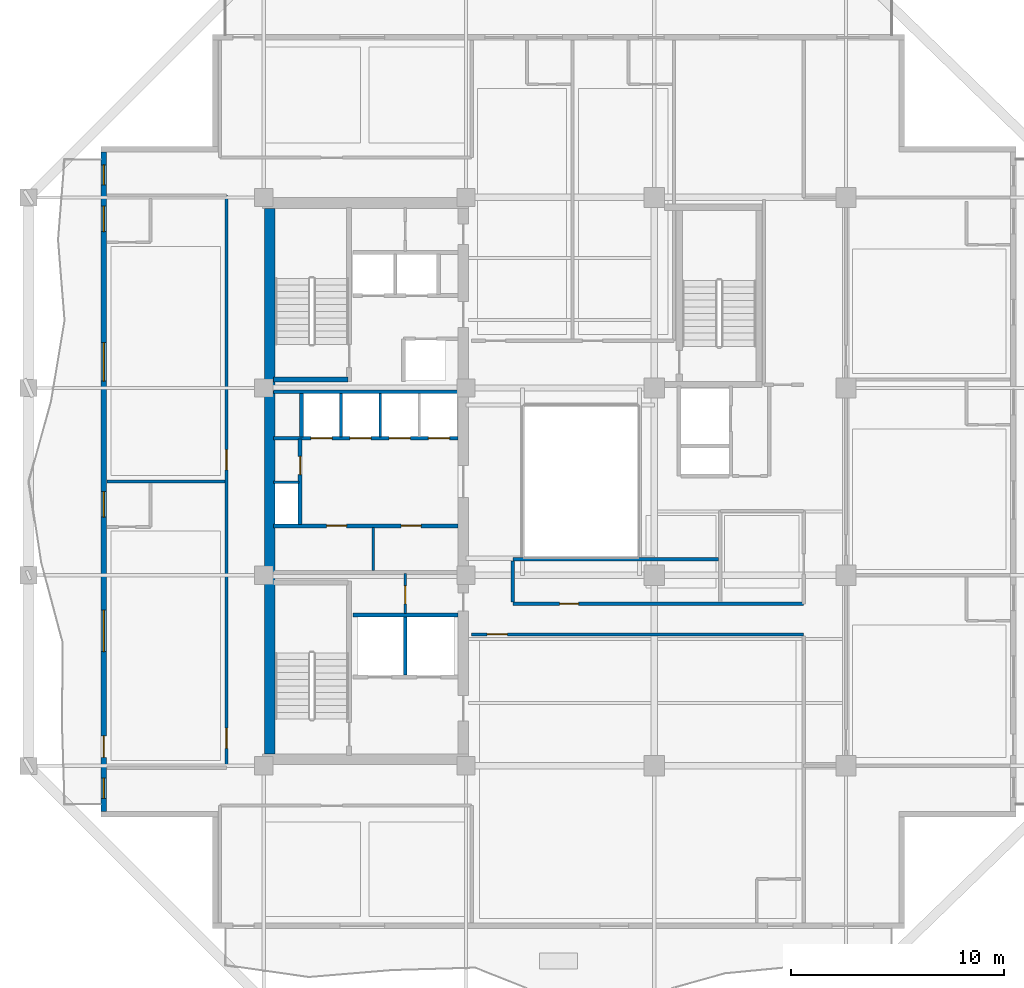
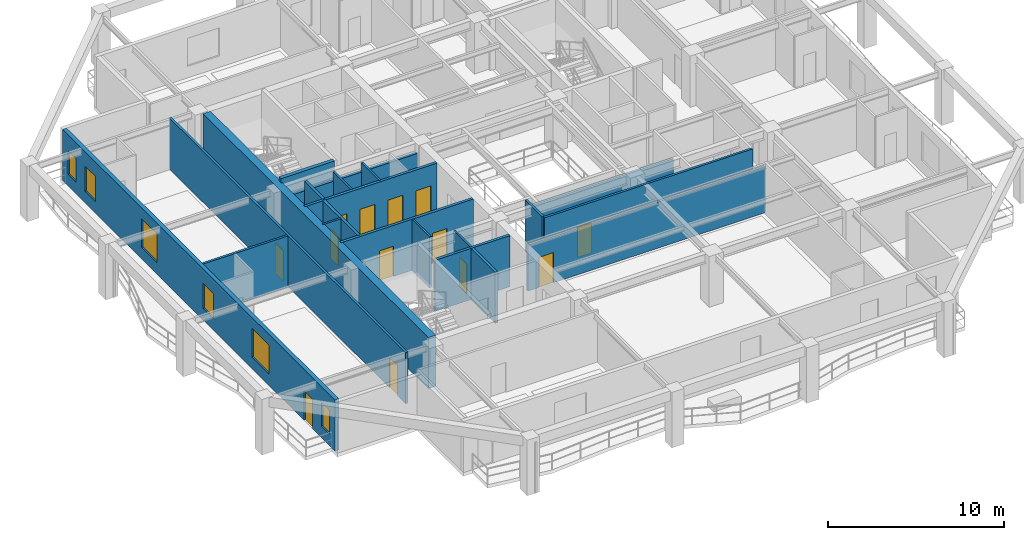
# One storey, part 3 of 12: 21 walls, 13 doors, 6 windows, 19 openings.
"""IFC4 building model written with IfcOpenShell, lengths in metres."""

import ifcopenshell
import ifcopenshell.guid

model = None  # the IFC model being written
_history = None  # IfcOwnerHistory: only IFC2X3 demands one
_inside = {}  # id of a spatial element -> (the spatial element, [elements in it])
_under = {}  # id of a project, library or spatial element -> (it, [spatial elements below it])
_declared = {}  # id of a project -> (the project, [libraries it declares])
_typed = {}  # id of a type object -> (the type object, [elements of that type])
_made_of = {}  # id of a material, layer set ... -> (it, [elements and type objects made of it])


def new_model(schema):
    """Start an empty IFC model of exactly this schema.

    Asked for "IFC4X3", IfcOpenShell would pick the latest addendum, in which some entities
    have other attributes; the version numbers below select the first issue.
    IFC2X3 requires an IfcOwnerHistory on every rooted entity: one is made here for all.
    """
    global model, _history
    if schema == "IFC4X3":
        model = ifcopenshell.file(schema_version=(4, 3, 0, 0))
    else:
        model = ifcopenshell.file(schema=schema)
    _inside.clear()
    _under.clear()
    _declared.clear()
    _typed.clear()
    _made_of.clear()
    _history = None
    if model.schema == "IFC2X3":
        org = make("IfcOrganization", Name="unknown")
        user = make(
            "IfcPersonAndOrganization",
            ThePerson=make("IfcPerson", FamilyName="unknown"),
            TheOrganization=org,
        )
        app = make(
            "IfcApplication",
            ApplicationDeveloper=org,
            Version="unknown",
            ApplicationFullName="unknown",
            ApplicationIdentifier="unknown",
        )
        _history = make(
            "IfcOwnerHistory",
            OwningUser=user,
            OwningApplication=app,
            ChangeAction="ADDED",
            CreationDate=0,
        )
    return model


def make(cls, **values):
    """One entity of the class cls with the attributes given. An attribute that is None is left unset."""
    return model.create_entity(
        cls, **{name: value for name, value in values.items() if value is not None}
    )


def rooted(cls, **values):
    """An entity with a GlobalId (a new one), such as an element, a storey or a relation."""
    return make(cls, GlobalId=ifcopenshell.guid.new(), OwnerHistory=_history, **values)


def si_unit(unit_type, name, prefix=None):
    """IfcSIUnit, for example si_unit("LENGTHUNIT", "METRE", prefix="MILLI")."""
    return make("IfcSIUnit", UnitType=unit_type, Prefix=prefix, Name=name)


def assignment(units):
    """IfcUnitAssignment: the units of a project."""
    return None if units is None else make("IfcUnitAssignment", Units=units)


def point(xyz):
    """IfcCartesianPoint."""
    return None if xyz is None else make("IfcCartesianPoint", Coordinates=xyz)


def direction(xyz):
    """IfcDirection."""
    return None if xyz is None else make("IfcDirection", DirectionRatios=xyz)


def frame(location, z_axis=None, x_axis=None):
    """IfcAxis2Placement3D, a coordinate frame: its origin and axes. An axis left out is left unset."""
    return make(
        "IfcAxis2Placement3D",
        Location=point(location),
        Axis=direction(z_axis),
        RefDirection=direction(x_axis),
    )


def frame_2d(location, x_axis=None):
    """IfcAxis2Placement2D, a coordinate frame in the plane: its origin and x axis."""
    return make(
        "IfcAxis2Placement2D", Location=point(location), RefDirection=direction(x_axis)
    )


def origin():
    """The frame at (0, 0, 0) with its axes left unset."""
    return frame((0.0, 0.0, 0.0))


def place(relative_to, where):
    """IfcLocalPlacement: puts the frame where relative to a parent placement (None: the world)."""
    return make(
        "IfcLocalPlacement", PlacementRelTo=relative_to, RelativePlacement=where
    )


def context(
    kind, dimensions, precision=None, world=None, true_north=None, identifier=None
):
    """IfcGeometricRepresentationContext, for example the 3D "Model" context."""
    return make(
        "IfcGeometricRepresentationContext",
        ContextIdentifier=identifier,
        ContextType=kind,
        CoordinateSpaceDimension=dimensions,
        Precision=precision,
        WorldCoordinateSystem=world,
        TrueNorth=true_north,
    )


def subcontext(parent, identifier, kind, view, scale=None):
    """IfcGeometricRepresentationSubContext, for example "Body" below "Model"."""
    return make(
        "IfcGeometricRepresentationSubContext",
        ContextIdentifier=identifier,
        ContextType=kind,
        ParentContext=parent,
        TargetScale=scale,
        TargetView=view,
    )


def project(units=None, contexts=None):
    """IfcProject with its units and contexts."""
    return rooted(
        "IfcProject",
        Name="project",
        RepresentationContexts=contexts,
        UnitsInContext=assignment(units),
    )


def spatial(cls, under=None, at=None, **own):
    """A site, building, storey or space (cls), placed at a placement, below another one or the project."""
    s = rooted(cls, ObjectPlacement=at, **own)
    if under is not None:
        _under.setdefault(under.id(), (under, []))[1].append(s)
    return s


def profile(cls, at=None, kind="AREA", **sizes):
    """A parametric profile (cls). Its sizes go by their IFC names, for example OverallWidth=200.0."""
    return make(cls, ProfileType=kind, Position=at, **sizes)


def rectangle(**sizes):
    """IfcRectangleProfileDef."""
    return profile("IfcRectangleProfileDef", **sizes)


def extrude(swept, where, along, depth):
    """IfcExtrudedAreaSolid: the profile swept, set in the frame where, extruded along a direction by depth."""
    return make(
        "IfcExtrudedAreaSolid",
        SweptArea=swept,
        Position=where,
        ExtrudedDirection=direction(along),
        Depth=depth,
    )


def shape(context_of_items, identifier, shape_type, items):
    """IfcShapeRepresentation: the items that make up one representation, for example the "Body"."""
    return make(
        "IfcShapeRepresentation",
        ContextOfItems=context_of_items,
        RepresentationIdentifier=identifier,
        RepresentationType=shape_type,
        Items=items,
    )


def material(Name=None, Category=None):
    """IfcMaterial."""
    return make("IfcMaterial", Name=Name, Category=Category)


def layer(
    of_material, thickness, ventilated=None, Name=None, Category=None, Priority=None
):
    """IfcMaterialLayer: one layer of a wall or slab, of a material (None: an air gap)."""
    return make(
        "IfcMaterialLayer",
        Material=of_material,
        LayerThickness=thickness,
        IsVentilated=ventilated,
        Name=Name,
        Category=Category,
        Priority=Priority,
    )


def layer_set(layers, Name=None):
    """IfcMaterialLayerSet."""
    return make("IfcMaterialLayerSet", MaterialLayers=layers, LayerSetName=Name)


def made_of(thing, what):
    """Note that an element or type object is made of a material, layer set ...; save() writes the relation."""
    if what is not None:
        _made_of.setdefault(what.id(), (what, []))[1].append(thing)
    return thing


def type_object(cls, material=None, **own):
    """A type object (cls), such as IfcWallType, which elements share."""
    return made_of(rooted(cls, **own), material)


def element(
    cls,
    number,
    at=None,
    inside=None,
    cuts=None,
    type_object=None,
    material=None,
    context=None,
    identifier="Body",
    shape_type=None,
    held_by="IfcProductDefinitionShape",
    body=None,
    shapes=None,
    **own,
):
    """One element of the class cls, such as IfcWall. Its Tag is "e" and its number.

    at: its placement. inside: the storey or other place that contains it. cuts: it is an
    opening in that element (IfcRelVoidsElement). A single representation is given by context,
    identifier, shape_type and body (its items); several are given by shapes. held_by: the class
    of the entity that holds the representations. save() writes the other relations.
    """
    e = rooted(cls, Tag="e%d" % number, ObjectPlacement=at, **own)
    if body is not None:
        shapes = [shape(context, identifier, shape_type, body)]
    if shapes is not None:
        e.Representation = make(held_by, Representations=shapes)
    if inside is not None:
        _inside.setdefault(inside.id(), (inside, []))[1].append(e)
    if cuts is not None:
        rooted(
            "IfcRelVoidsElement", RelatingBuildingElement=cuts, RelatedOpeningElement=e
        )
    if type_object is not None:
        _typed.setdefault(type_object.id(), (type_object, []))[1].append(e)
    return made_of(e, material)


def fill(opening, filler):
    """IfcRelFillsElement: the door or window that sits in an opening."""
    return rooted(
        "IfcRelFillsElement",
        RelatingOpeningElement=opening,
        RelatedBuildingElement=filler,
    )


def aggregate(whole, parts):
    """IfcRelAggregates: a whole, such as a stair, and the parts it consists of."""
    return rooted("IfcRelAggregates", RelatingObject=whole, RelatedObjects=parts)


def save(model, path):
    """Write the relations noted so far, then the file.

    IfcRelAggregates (storeys below a building ...), IfcRelContainedInSpatialStructure (elements
    in a storey), IfcRelDefinesByType, IfcRelAssociatesMaterial and IfcRelDeclares: one each for
    every whole, place, type object, material and project.
    """
    for whole, parts in _under.values():
        aggregate(whole, parts)
    for where, things in _inside.values():
        rooted(
            "IfcRelContainedInSpatialStructure",
            RelatedElements=things,
            RelatingStructure=where,
        )
    for kind, things in _typed.values():
        rooted("IfcRelDefinesByType", RelatedObjects=things, RelatingType=kind)
    for what, things in _made_of.values():
        rooted("IfcRelAssociatesMaterial", RelatedObjects=things, RelatingMaterial=what)
    for by, libraries in _declared.values():
        rooted("IfcRelDeclares", RelatingContext=by, RelatedDefinitions=libraries)
    model.write(path)


model = new_model("IFC4")

# Units and contexts
model_context = context("Model", 3, precision=1e-05, world=origin(), true_north=direction((0.0, 1.0)))
body_context = subcontext(model_context, "Body", "Model", "MODEL_VIEW")
ifc_project = project(units=[si_unit("LENGTHUNIT", "METRE"), si_unit("AREAUNIT", "SQUARE_METRE"), si_unit("VOLUMEUNIT", "CUBIC_METRE"), si_unit("PLANEANGLEUNIT", "RADIAN"), si_unit("MASSUNIT", "GRAM", prefix="KILO")], contexts=[model_context])

# Site, building, storey
site_placement = place(None, origin())
site = spatial("IfcSite", under=ifc_project, at=site_placement, CompositionType="ELEMENT")
building_placement = place(site_placement, origin())
building = spatial("IfcBuilding", under=site, at=building_placement, Name="Kundavana Baori Tower", CompositionType="ELEMENT")
storey_placement = place(building_placement, frame((0.0, 0.0, 200.25)))
storey = spatial("IfcBuildingStorey", under=building, at=storey_placement, Name="L49", CompositionType="ELEMENT", Elevation=200.25)

# Walls
ifc_material_1 = material(Name="Concrete C50/60", Category="concrete")
ifc_layer_1 = layer(ifc_material_1, 0.39990234375, Name="WL-CORE-400")
ifc_layer_set_1 = layer_set([ifc_layer_1], Name="Concrete C50/60")
wall_type_1 = type_object("IfcWallType", Name="WL-CORE-400", PredefinedType="SHEAR", material=ifc_layer_set_1)
wall_1_placement = place(storey_placement, frame((15.89990234375, 33.389892578125, 0.0), z_axis=(0.0, 0.0, 1.0), x_axis=(1.0, 0.0, 0.0)))
element("IfcWall", 1, at=wall_1_placement, inside=storey, type_object=wall_type_1, Name="WL-L49-ST2-S", PredefinedType="SHEAR", context=body_context, shape_type="SweptSolid", body=[
    extrude(rectangle(XDim=3.52001953125, YDim=0.239990234375, at=frame_2d((1.760009765625, 0.0))), origin(), (0.0, 0.0, 1.0), 3.85009765625),
])
ifc_material_2 = material(Name="Concrete C50/60", Category="concrete")
ifc_layer_2 = layer(ifc_material_2, 0.5, Name="WL-CORE-500")
ifc_layer_set_2 = layer_set([ifc_layer_2], Name="Concrete C50/60")
wall_type_2 = type_object("IfcWallType", Name="WL-CORE-500", PredefinedType="SHEAR", material=ifc_layer_set_2)
wall_2_placement = place(storey_placement, frame((15.739990234375, 15.81005859375, 0.0), z_axis=(0.0, 0.0, 1.0), x_axis=(0.0, 1.0, 0.0)))
element("IfcWall", 2, at=wall_2_placement, inside=storey, type_object=wall_type_2, Name="L49 Offset Core West Shear Wall", PredefinedType="SHEAR", context=body_context, shape_type="SweptSolid", body=[
    extrude(rectangle(XDim=25.6298828125, YDim=0.5, at=frame_2d((12.81494140625, 0.0))), origin(), (0.0, 0.0, 1.0), 3.550048828125),
])

# Wall, openings, door, windows
ifc_material_3 = material(Name="Kiln-Fired Terracotta Brick-Slip Masonry on Concrete C40/50", Category="masonry")
ifc_layer_3 = layer(ifc_material_3, 0.260009765625, Name="WL-EXT-BRK-260")
ifc_layer_set_3 = layer_set([ifc_layer_3], Name="Kiln-Fired Terracotta Brick-Slip Masonry on Concrete C40/50")
wall_type_3 = type_object("IfcWallType", Name="WL-EXT-BRK-260", PredefinedType="SOLIDWALL", material=ifc_layer_set_3)
wall_3_placement = place(storey_placement, frame((7.929931640625, 44.090087890625, 0.0), z_axis=(0.0, 0.0, 1.0), x_axis=(0.0, -1.0, 0.0)))
wall_3 = element("IfcWall", 3, at=wall_3_placement, inside=storey, type_object=wall_type_3, Name="L49 Exterior Insulated Facade Wall 10", PredefinedType="SOLIDWALL", context=body_context, shape_type="SweptSolid", body=[
    extrude(rectangle(XDim=30.97998046875, YDim=0.260009765625, at=frame_2d((15.489990234375, 0.0))), origin(), (0.0, 0.0, 1.0), 3.550048828125),
])
opening_1_placement = place(wall_3_placement, frame((29.425048828125, 0.0, 0.800048828125)))
opening_1 = element("IfcOpeningElement", 4, at=opening_1_placement, cuts=wall_3, Name="Opening W-13", PredefinedType="OPENING", context=body_context, shape_type="SweptSolid", body=[
    extrude(rectangle(XDim=0.949951171875, YDim=1.64990234375, at=frame_2d((0.47509765625, 0.824951171875))), frame((0.0, 0.14013671875, 0.0), z_axis=(0.0, -1.0, 0.0), x_axis=(1.0, 0.0, 0.0)), (0.0, 0.0, 1.0), 0.280029296875),
])
opening_2_placement = place(wall_3_placement, frame((27.43994140625, 0.0, 0.0)))
opening_2 = element("IfcOpeningElement", 5, at=opening_2_placement, cuts=wall_3, Name="Opening BD-1", PredefinedType="OPENING", context=body_context, shape_type="SweptSolid", body=[
    extrude(rectangle(XDim=1.0, YDim=2.050048828125, at=frame_2d((0.5, 1.02490234375))), frame((0.0, 0.14013671875, 0.0), z_axis=(0.0, -1.0, 0.0), x_axis=(1.0, 0.0, 0.0)), (0.0, 0.0, 1.0), 0.280029296875),
])
opening_3_placement = place(wall_3_placement, frame((21.52490234375, 0.0, 0.800048828125)))
opening_3 = element("IfcOpeningElement", 6, at=opening_3_placement, cuts=wall_3, Name="Opening W-09", PredefinedType="OPENING", context=body_context, shape_type="SweptSolid", body=[
    extrude(rectangle(XDim=1.949951171875, YDim=2.0, at=frame_2d((0.97509765625, 1.0))), frame((0.0, 0.14013671875, 0.0), z_axis=(0.0, -1.0, 0.0), x_axis=(1.0, 0.0, 0.0)), (0.0, 0.0, 1.0), 0.280029296875),
])
opening_4_placement = place(wall_3_placement, frame((15.955078125, 0.0, 0.800048828125)))
opening_4 = element("IfcOpeningElement", 7, at=opening_4_placement, cuts=wall_3, Name="Opening W-03", PredefinedType="OPENING", context=body_context, shape_type="SweptSolid", body=[
    extrude(rectangle(XDim=1.199951171875, YDim=1.75, at=frame_2d((0.60009765625, 0.875))), frame((0.0, 0.14013671875, 0.0), z_axis=(0.0, -1.0, 0.0), x_axis=(1.0, 0.0, 0.0)), (0.0, 0.0, 1.0), 0.280029296875),
])
opening_5_placement = place(wall_3_placement, frame((8.965087890625, 0.0, 0.800048828125)))
opening_5 = element("IfcOpeningElement", 8, at=opening_5_placement, cuts=wall_3, Name="Opening W-01", PredefinedType="OPENING", context=body_context, shape_type="SweptSolid", body=[
    extrude(rectangle(XDim=1.800048828125, YDim=2.0, at=frame_2d((0.89990234375, 1.0))), frame((0.0, 0.14013671875, 0.0), z_axis=(0.0, -1.0, 0.0), x_axis=(1.0, 0.0, 0.0)), (0.0, 0.0, 1.0), 0.280029296875),
])
opening_6_placement = place(wall_3_placement, frame((2.544921875, 0.0, 0.800048828125)))
opening_6 = element("IfcOpeningElement", 9, at=opening_6_placement, cuts=wall_3, Name="Opening W-03", PredefinedType="OPENING", context=body_context, shape_type="SweptSolid", body=[
    extrude(rectangle(XDim=1.199951171875, YDim=1.75, at=frame_2d((0.60009765625, 0.875))), frame((0.0, 0.14013671875, 0.0), z_axis=(0.0, -1.0, 0.0), x_axis=(1.0, 0.0, 0.0)), (0.0, 0.0, 1.0), 0.280029296875),
])
opening_7_placement = place(wall_3_placement, frame((0.60498046875, 0.0, 0.800048828125)))
opening_7 = element("IfcOpeningElement", 10, at=opening_7_placement, cuts=wall_3, Name="Opening W-13", PredefinedType="OPENING", context=body_context, shape_type="SweptSolid", body=[
    extrude(rectangle(XDim=0.949951171875, YDim=1.64990234375, at=frame_2d((0.47509765625, 0.824951171875))), frame((0.0, 0.14013671875, 0.0), z_axis=(0.0, -1.0, 0.0), x_axis=(1.0, 0.0, 0.0)), (0.0, 0.0, 1.0), 0.280029296875),
])
ifc_material_4 = material(Name="Architectural Patinated Bronze Metalwork")
door_type_1 = type_object("IfcDoorType", Name="DR-EXT-LOG-1000", OperationType="NOTDEFINED", PredefinedType="DOOR", material=ifc_material_4)
door_1_placement = place(opening_2_placement, frame((1.0, 0.0, 0.0), z_axis=(0.0, 0.0, 1.0), x_axis=(-1.0, 0.0, 0.0)))
door_1 = element("IfcDoor", 11, at=door_1_placement, inside=storey, type_object=door_type_1, Name="L49 Loggia Balcony Access Door W", OperationType="SINGLE_SWING_LEFT", OverallHeight=2.050048828125, OverallWidth=1.0, PredefinedType="DOOR", context=body_context, shape_type="SweptSolid", body=[
    extrude(rectangle(XDim=1.0, YDim=2.050048828125, at=frame_2d((0.5, 1.02490234375))), frame((0.0, 0.02490234375, 0.0), z_axis=(0.0, -1.0, 0.0), x_axis=(1.0, 0.0, 0.0)), (0.0, 0.0, 1.0), 0.050048828125),
])
fill(opening_2, door_1)
ifc_material_5 = material(Name="Double-Glazed Solar-Control Low-E Insulated Glass", Category="glass")
window_type_1 = type_object("IfcWindowType", Name="WIN-LOG-1200x1750", PartitioningType="SINGLE_PANEL", PredefinedType="WINDOW", material=ifc_material_5)
window_1_placement = place(opening_4_placement, origin())
window_1 = element("IfcWindow", 12, at=window_1_placement, inside=storey, type_object=window_type_1, Name="L49 Recessed Loggia Window W-3", OverallHeight=1.75, OverallWidth=1.199951171875, PartitioningType="SINGLE_PANEL", PredefinedType="WINDOW", context=body_context, shape_type="SweptSolid", body=[
    extrude(rectangle(XDim=1.199951171875, YDim=1.75, at=frame_2d((0.60009765625, 0.875))), frame((0.0, 0.030029296875, 0.0), z_axis=(0.0, -1.0, 0.0), x_axis=(1.0, 0.0, 0.0)), (0.0, 0.0, 1.0), 0.06005859375),
])
fill(opening_4, window_1)
window_2_placement = place(opening_6_placement, origin())
window_2 = element("IfcWindow", 13, at=window_2_placement, inside=storey, type_object=window_type_1, Name="L49 Recessed Loggia Window W-5", OverallHeight=1.75, OverallWidth=1.199951171875, PartitioningType="SINGLE_PANEL", PredefinedType="WINDOW", context=body_context, shape_type="SweptSolid", body=[
    extrude(rectangle(XDim=1.199951171875, YDim=1.75, at=frame_2d((0.60009765625, 0.875))), frame((0.0, 0.030029296875, 0.0), z_axis=(0.0, -1.0, 0.0), x_axis=(1.0, 0.0, 0.0)), (0.0, 0.0, 1.0), 0.06005859375),
])
fill(opening_6, window_2)
ifc_material_6 = material(Name="Double-Glazed Solar-Control Low-E Insulated Glass", Category="glass")
window_type_2 = type_object("IfcWindowType", Name="WIN-LOG-1800x2000", PartitioningType="SINGLE_PANEL", PredefinedType="WINDOW", material=ifc_material_6)
window_3_placement = place(opening_5_placement, origin())
window_3 = element("IfcWindow", 14, at=window_3_placement, inside=storey, type_object=window_type_2, Name="L49 Recessed Loggia Window W-4", OverallHeight=2.0, OverallWidth=1.800048828125, PartitioningType="SINGLE_PANEL", PredefinedType="WINDOW", context=body_context, shape_type="SweptSolid", body=[
    extrude(rectangle(XDim=1.800048828125, YDim=2.0, at=frame_2d((0.89990234375, 1.0))), frame((0.0, 0.030029296875, 0.0), z_axis=(0.0, -1.0, 0.0), x_axis=(1.0, 0.0, 0.0)), (0.0, 0.0, 1.0), 0.06005859375),
])
fill(opening_5, window_3)
ifc_material_7 = material(Name="Double-Glazed Solar-Control Low-E Insulated Glass", Category="glass")
window_type_3 = type_object("IfcWindowType", Name="WIN-LOG-1950x2000", PartitioningType="SINGLE_PANEL", PredefinedType="WINDOW", material=ifc_material_7)
window_4_placement = place(opening_3_placement, origin())
window_4 = element("IfcWindow", 15, at=window_4_placement, inside=storey, type_object=window_type_3, Name="L49 Recessed Loggia Window W-2", OverallHeight=2.0, OverallWidth=1.949951171875, PartitioningType="SINGLE_PANEL", PredefinedType="WINDOW", context=body_context, shape_type="SweptSolid", body=[
    extrude(rectangle(XDim=1.949951171875, YDim=2.0, at=frame_2d((0.97509765625, 1.0))), frame((0.0, 0.030029296875, 0.0), z_axis=(0.0, -1.0, 0.0), x_axis=(1.0, 0.0, 0.0)), (0.0, 0.0, 1.0), 0.06005859375),
])
fill(opening_3, window_4)
ifc_material_8 = material(Name="Double-Glazed Solar-Control Low-E Insulated Glass", Category="glass")
window_type_4 = type_object("IfcWindowType", Name="WIN-LOG-950x1650", PartitioningType="SINGLE_PANEL", PredefinedType="WINDOW", material=ifc_material_8)
window_5_placement = place(opening_1_placement, origin())
window_5 = element("IfcWindow", 16, at=window_5_placement, inside=storey, type_object=window_type_4, Name="L49 Recessed Loggia Window W-1", OverallHeight=1.64990234375, OverallWidth=0.949951171875, PartitioningType="SINGLE_PANEL", PredefinedType="WINDOW", context=body_context, shape_type="SweptSolid", body=[
    extrude(rectangle(XDim=0.949951171875, YDim=1.64990234375, at=frame_2d((0.47509765625, 0.824951171875))), frame((0.0, 0.030029296875, 0.0), z_axis=(0.0, -1.0, 0.0), x_axis=(1.0, 0.0, 0.0)), (0.0, 0.0, 1.0), 0.06005859375),
])
fill(opening_1, window_5)
window_6_placement = place(opening_7_placement, origin())
window_6 = element("IfcWindow", 17, at=window_6_placement, inside=storey, type_object=window_type_4, Name="L49 Recessed Loggia Window W-6", OverallHeight=1.64990234375, OverallWidth=0.949951171875, PartitioningType="SINGLE_PANEL", PredefinedType="WINDOW", context=body_context, shape_type="SweptSolid", body=[
    extrude(rectangle(XDim=0.949951171875, YDim=1.64990234375, at=frame_2d((0.47509765625, 0.824951171875))), frame((0.0, 0.030029296875, 0.0), z_axis=(0.0, -1.0, 0.0), x_axis=(1.0, 0.0, 0.0)), (0.0, 0.0, 1.0), 0.06005859375),
])
fill(opening_7, window_6)

# Wall, opening, door
ifc_material_9 = material(Name="Acoustic Gypsum Plasterboard on Galvanised Steel Studs", Category="steel")
ifc_layer_4 = layer(ifc_material_9, 0.1201171875, Name="WL-PART-120")
ifc_layer_set_4 = layer_set([ifc_layer_4], Name="Acoustic Gypsum Plasterboard on Galvanised Steel Studs")
wall_type_4 = type_object("IfcWallType", Name="WL-PART-120", PredefinedType="PARTITIONING", material=ifc_layer_set_4)
wall_4_placement = place(storey_placement, frame((22.10009765625, 22.39990234375, 0.0), z_axis=(0.0, 0.0, 1.0), x_axis=(0.0, 1.0, 0.0)))
wall_4 = element("IfcWall", 18, at=wall_4_placement, inside=storey, type_object=wall_type_4, Name="WL-L49-CSMK-D1", PredefinedType="PARTITIONING", context=body_context, shape_type="SweptSolid", body=[
    extrude(rectangle(XDim=1.880126953125, YDim=0.1201171875, at=frame_2d((0.93994140625, 0.0))), origin(), (0.0, 0.0, 1.0), 3.550048828125),
])
opening_8_placement = place(wall_4_placement, frame((0.449951171875, 0.0, 0.0)))
opening_8 = element("IfcOpeningElement", 19, at=opening_8_placement, cuts=wall_4, Name="Opening FD-085", PredefinedType="OPENING", context=body_context, shape_type="SweptSolid", body=[
    extrude(rectangle(XDim=0.85009765625, YDim=2.06005859375, at=frame_2d((0.425048828125, 1.030029296875))), frame((0.0, 0.070068359375, 0.0), z_axis=(0.0, -1.0, 0.0), x_axis=(1.0, 0.0, 0.0)), (0.0, 0.0, 1.0), 0.14013671875),
])
ifc_material_10 = material(Name="Galvanised Steel Fire-Rated Door Leaf", Category="steel")
door_type_2 = type_object("IfcDoorType", Name="DR-FD60-850", OperationType="NOTDEFINED", PredefinedType="DOOR", material=ifc_material_10)
door_2_placement = place(opening_8_placement, origin())
door_2 = element("IfcDoor", 20, at=door_2_placement, inside=storey, type_object=door_type_2, Name="DR-L49-CSMK1", OperationType="SINGLE_SWING_LEFT", OverallHeight=2.06005859375, OverallWidth=0.85009765625, PredefinedType="DOOR", context=body_context, shape_type="SweptSolid", body=[
    extrude(rectangle(XDim=0.85009765625, YDim=2.06005859375, at=frame_2d((0.425048828125, 1.030029296875))), frame((0.0, 0.02490234375, 0.0), z_axis=(0.0, -1.0, 0.0), x_axis=(1.0, 0.0, 0.0)), (0.0, 0.0, 1.0), 0.050048828125),
])
fill(opening_8, door_2)

# Walls
wall_5_placement = place(storey_placement, frame((20.60009765625, 24.419921875, 0.0), z_axis=(0.0, 0.0, 1.0), x_axis=(0.0, 1.0, 0.0)))
element("IfcWall", 21, at=wall_5_placement, inside=storey, type_object=wall_type_4, Name="WL-L49-FRLOW-DIV", PredefinedType="PARTITIONING", context=body_context, shape_type="SweptSolid", body=[
    extrude(rectangle(XDim=2.02001953125, YDim=0.1201171875, at=frame_2d((1.010009765625, 0.0))), origin(), (0.0, 0.0, 1.0), 3.550048828125),
])
wall_6_placement = place(storey_placement, frame((15.89990234375, 28.56005859375, 0.0), z_axis=(0.0, 0.0, 1.0), x_axis=(1.0, 0.0, 0.0)))
element("IfcWall", 22, at=wall_6_placement, inside=storey, type_object=wall_type_4, Name="WL-L49-RSRW-N", PredefinedType="PARTITIONING", context=body_context, shape_type="SweptSolid", body=[
    extrude(rectangle(XDim=1.2001953125, YDim=0.1201171875, at=frame_2d((0.60009765625, 0.0))), origin(), (0.0, 0.0, 1.0), 3.550048828125),
])
for number, where, z_axis, x_axis, name in (
    (23, (19.080078125, 30.699951171875, 0.0), (0.0, 0.0, 1.0), (0.0, 1.0, 0.0), "WL-L49-LPMID-D1"),
    (24, (20.919921875, 30.699951171875, 0.0), (0.0, 0.0, 1.0), (0.0, 1.0, 0.0), "WL-L49-LPMID-D2"),
):
    element("IfcWall", number, at=place(storey_placement, frame(where, z_axis=z_axis, x_axis=x_axis)), inside=storey, type_object=wall_type_4, Name=name, PredefinedType="PARTITIONING", context=body_context, shape_type="SweptSolid", body=[
        extrude(rectangle(XDim=2.050048828125, YDim=0.1201171875, at=frame_2d((1.02490234375, 0.0))), origin(), (0.0, 0.0, 1.0), 3.550048828125),
    ])

# Wall, opening, door
ifc_material_11 = material(Name="Fire-Rated Gypsum Drywall on Galvanised Steel Studs", Category="steel")
ifc_layer_5 = layer(ifc_material_11, 0.14990234375, Name="WL-PART-150")
ifc_layer_set_5 = layer_set([ifc_layer_5], Name="Fire-Rated Gypsum Drywall on Galvanised Steel Studs")
wall_type_5 = type_object("IfcWallType", Name="WL-PART-150", PredefinedType="PARTITIONING", material=ifc_layer_set_5)
wall_7_placement = place(storey_placement, frame((25.219970703125, 21.419921875, 0.0), z_axis=(0.0, 0.0, 1.0), x_axis=(1.0, 0.0, 0.0)))
wall_7 = element("IfcWall", 25, at=wall_7_placement, inside=storey, type_object=wall_type_5, Name="WL-L49-HS", PredefinedType="PARTITIONING", context=body_context, shape_type="SweptSolid", body=[
    extrude(rectangle(XDim=15.60009765625, YDim=0.14990234375, at=frame_2d((7.800048828125, 0.0))), origin(), (0.0, 0.0, 1.0), 3.199951171875),
])
opening_9_placement = place(wall_7_placement, frame((0.72998046875, 0.0, 0.0)))
opening_9 = element("IfcOpeningElement", 26, at=opening_9_placement, cuts=wall_7, Name="Opening FD-095", PredefinedType="OPENING", context=body_context, shape_type="SweptSolid", body=[
    extrude(rectangle(XDim=0.949951171875, YDim=2.10009765625, at=frame_2d((0.47509765625, 1.050048828125))), frame((0.0, 0.0849609375, 0.0), z_axis=(0.0, -1.0, 0.0), x_axis=(1.0, 0.0, 0.0)), (0.0, 0.0, 1.0), 0.169921875),
])
ifc_material_12 = material(Name="Engineered Teak Fire-Rated Timber Door Leaf", Category="wood")
door_type_3 = type_object("IfcDoorType", Name="DR-FD60-950", OperationType="NOTDEFINED", PredefinedType="DOOR", material=ifc_material_12)
door_3_placement = place(opening_9_placement, frame((0.949951171875, 0.0, 0.0), z_axis=(0.0, 0.0, 1.0), x_axis=(-1.0, 0.0, 0.0)))
door_3 = element("IfcDoor", 27, at=door_3_placement, inside=storey, type_object=door_type_3, Name="DR-L49-HK-S1-ENT", OperationType="SINGLE_SWING_RIGHT", OverallHeight=2.10009765625, OverallWidth=0.949951171875, PredefinedType="DOOR", context=body_context, shape_type="SweptSolid", body=[
    extrude(rectangle(XDim=0.949951171875, YDim=2.10009765625, at=frame_2d((0.47509765625, 1.050048828125))), frame((0.0, 0.02490234375, 0.0), z_axis=(0.0, -1.0, 0.0), x_axis=(1.0, 0.0, 0.0)), (0.0, 0.0, 1.0), 0.050048828125),
])
fill(opening_9, door_3)

wall_8_placement = place(storey_placement, frame((27.14990234375, 22.860107421875, 0.0), z_axis=(0.0, 0.0, 1.0), x_axis=(1.0, 0.0, 0.0)))
wall_8 = element("IfcWall", 28, at=wall_8_placement, inside=storey, type_object=wall_type_5, Name="WL-L49-HST", PredefinedType="PARTITIONING", context=body_context, shape_type="SweptSolid", body=[
    extrude(rectangle(XDim=13.670166015625, YDim=0.14990234375, at=frame_2d((6.8349609375, 0.0))), origin(), (0.0, 0.0, 1.0), 3.550048828125),
])
opening_10_placement = place(wall_8_placement, frame((2.199951171875, 0.0, 0.0)))
opening_10 = element("IfcOpeningElement", 29, at=opening_10_placement, cuts=wall_8, Name="Opening ID-090", PredefinedType="OPENING", context=body_context, shape_type="SweptSolid", body=[
    extrude(rectangle(XDim=0.89990234375, YDim=2.080078125, at=frame_2d((0.449951171875, 1.0400390625))), frame((0.0, 0.0849609375, 0.0), z_axis=(0.0, -1.0, 0.0), x_axis=(1.0, 0.0, 0.0)), (0.0, 0.0, 1.0), 0.169921875),
])
ifc_material_13 = material(Name="Engineered Teak Solid-Core Timber Veneer", Category="wood")
door_type_4 = type_object("IfcDoorType", Name="DR-INT-900", OperationType="NOTDEFINED", PredefinedType="DOOR", material=ifc_material_13)
door_4_placement = place(opening_10_placement, origin())
door_4 = element("IfcDoor", 30, at=door_4_placement, inside=storey, type_object=door_type_4, Name="DR-L49-HPNT", OperationType="SINGLE_SWING_LEFT", OverallHeight=2.080078125, OverallWidth=0.89990234375, PredefinedType="DOOR", context=body_context, shape_type="SweptSolid", body=[
    extrude(rectangle(XDim=0.89990234375, YDim=2.080078125, at=frame_2d((0.449951171875, 1.0400390625))), frame((0.0, 0.02490234375, 0.0), z_axis=(0.0, -1.0, 0.0), x_axis=(1.0, 0.0, 0.0)), (0.0, 0.0, 1.0), 0.050048828125),
])
fill(opening_10, door_4)

# Wall, openings, doors
wall_9_placement = place(storey_placement, frame((13.699951171875, 15.159912109375, 0.0), z_axis=(0.0, 0.0, 1.0), x_axis=(0.0, 1.0, 0.0)))
wall_9 = element("IfcWall", 31, at=wall_9_placement, inside=storey, type_object=wall_type_5, Name="WL-L49-HW", PredefinedType="PARTITIONING", context=body_context, shape_type="SweptSolid", body=[
    extrude(rectangle(XDim=26.880126953125, YDim=0.14990234375, at=frame_2d((13.43994140625, 0.0))), origin(), (0.0, 0.0, 1.0), 3.550048828125),
])
opening_11_placement = place(wall_9_placement, frame((0.909912109375, 0.0, 0.0)))
opening_11 = element("IfcOpeningElement", 32, at=opening_11_placement, cuts=wall_9, Name="Opening FD-095", PredefinedType="OPENING", context=body_context, shape_type="SweptSolid", body=[
    extrude(rectangle(XDim=0.949951171875, YDim=2.10009765625, at=frame_2d((0.47509765625, 1.050048828125))), frame((0.0, 0.0849609375, 0.0), z_axis=(0.0, -1.0, 0.0), x_axis=(1.0, 0.0, 0.0)), (0.0, 0.0, 1.0), 0.169921875),
])
opening_12_placement = place(wall_9_placement, frame((13.989990234375, 0.0, 0.0)))
opening_12 = element("IfcOpeningElement", 33, at=opening_12_placement, cuts=wall_9, Name="Opening FD-095", PredefinedType="OPENING", context=body_context, shape_type="SweptSolid", body=[
    extrude(rectangle(XDim=0.949951171875, YDim=2.10009765625, at=frame_2d((0.47509765625, 1.050048828125))), frame((0.0, 0.0849609375, 0.0), z_axis=(0.0, -1.0, 0.0), x_axis=(1.0, 0.0, 0.0)), (0.0, 0.0, 1.0), 0.169921875),
])
door_5_placement = place(opening_11_placement, origin())
door_5 = element("IfcDoor", 34, at=door_5_placement, inside=storey, type_object=door_type_3, Name="DR-L49-HK-W1-ENT", OperationType="SINGLE_SWING_LEFT", OverallHeight=2.10009765625, OverallWidth=0.949951171875, PredefinedType="DOOR", context=body_context, shape_type="SweptSolid", body=[
    extrude(rectangle(XDim=0.949951171875, YDim=2.10009765625, at=frame_2d((0.47509765625, 1.050048828125))), frame((0.0, 0.02490234375, 0.0), z_axis=(0.0, -1.0, 0.0), x_axis=(1.0, 0.0, 0.0)), (0.0, 0.0, 1.0), 0.050048828125),
])
fill(opening_11, door_5)
door_6_placement = place(opening_12_placement, origin())
door_6 = element("IfcDoor", 35, at=door_6_placement, inside=storey, type_object=door_type_3, Name="DR-L49-HK-W2-ENT", OperationType="SINGLE_SWING_LEFT", OverallHeight=2.10009765625, OverallWidth=0.949951171875, PredefinedType="DOOR", context=body_context, shape_type="SweptSolid", body=[
    extrude(rectangle(XDim=0.949951171875, YDim=2.10009765625, at=frame_2d((0.47509765625, 1.050048828125))), frame((0.0, 0.02490234375, 0.0), z_axis=(0.0, -1.0, 0.0), x_axis=(1.0, 0.0, 0.0)), (0.0, 0.0, 1.0), 0.050048828125),
])
fill(opening_12, door_6)

# Walls
wall_10_placement = place(storey_placement, frame((27.14990234375, 24.949951171875, 0.0), z_axis=(0.0, 0.0, 1.0), x_axis=(1.0, 0.0, 0.0)))
element("IfcWall", 36, at=wall_10_placement, inside=storey, type_object=wall_type_5, Name="WL-L49-HPN1", PredefinedType="PARTITIONING", context=body_context, shape_type="SweptSolid", body=[
    extrude(rectangle(XDim=9.670166015625, YDim=0.14990234375, at=frame_2d((4.8349609375, 0.0))), origin(), (0.0, 0.0, 1.0), 3.0),
])
wall_11_placement = place(storey_placement, frame((27.14990234375, 22.93994140625, 0.0), z_axis=(0.0, 0.0, 1.0), x_axis=(0.0, 1.0, 0.0)))
element("IfcWall", 37, at=wall_11_placement, inside=storey, type_object=wall_type_5, Name="WL-L49-HPN2", PredefinedType="PARTITIONING", context=body_context, shape_type="SweptSolid", body=[
    extrude(rectangle(XDim=1.93994140625, YDim=0.14990234375, at=frame_2d((0.969970703125, 0.0))), origin(), (0.0, 0.0, 1.0), 3.550048828125),
])
wall_12_placement = place(storey_placement, frame((8.080078125, 28.60009765625, 0.0), z_axis=(0.0, 0.0, 1.0), x_axis=(1.0, 0.0, 0.0)))
element("IfcWall", 38, at=wall_12_placement, inside=storey, type_object=wall_type_5, Name="WL-L49-HWD1", PredefinedType="PARTITIONING", context=body_context, shape_type="SweptSolid", body=[
    extrude(rectangle(XDim=5.559814453125, YDim=0.14990234375, at=frame_2d((2.77978515625, 0.0))), origin(), (0.0, 0.0, 1.0), 3.550048828125),
])
ifc_material_14 = material(Name="Autoclaved Aerated Concrete Blockwork Masonry", Category="masonry")
ifc_layer_6 = layer(ifc_material_14, 0.179931640625, Name="WL-SHAFT-180")
ifc_layer_set_6 = layer_set([ifc_layer_6], Name="Autoclaved Aerated Concrete Blockwork Masonry")
wall_type_6 = type_object("IfcWallType", Name="WL-SHAFT-180", PredefinedType="SOLIDWALL", material=ifc_layer_set_6)
wall_13_placement = place(storey_placement, frame((22.10009765625, 19.510009765625, 0.0), z_axis=(0.0, 0.0, 1.0), x_axis=(0.0, 1.0, 0.0)))
element("IfcWall", 39, at=wall_13_placement, inside=storey, type_object=wall_type_6, Name="WL-L49-FFL-MID", PredefinedType="SOLIDWALL", context=body_context, shape_type="SweptSolid", body=[
    extrude(rectangle(XDim=2.739990234375, YDim=0.179931640625, at=frame_2d((1.3701171875, 0.0))), origin(), (0.0, 0.0, 1.0), 3.550048828125),
])
wall_14_placement = place(storey_placement, frame((19.639892578125, 22.340087890625, 0.0), z_axis=(0.0, 0.0, 1.0), x_axis=(1.0, 0.0, 0.0)))
element("IfcWall", 40, at=wall_14_placement, inside=storey, type_object=wall_type_6, Name="WL-L49-FFL-N", PredefinedType="SOLIDWALL", context=body_context, shape_type="SweptSolid", body=[
    extrude(rectangle(XDim=4.940185546875, YDim=0.179931640625, at=frame_2d((2.47021484375, 0.0))), origin(), (0.0, 0.0, 1.0), 3.550048828125),
])

# Wall, openings, doors
wall_15_placement = place(storey_placement, frame((15.89990234375, 26.52001953125, 0.0), z_axis=(0.0, 0.0, 1.0), x_axis=(1.0, 0.0, 0.0)))
wall_15 = element("IfcWall", 41, at=wall_15_placement, inside=storey, type_object=wall_type_6, Name="WL-L49-LPLOW-N", PredefinedType="SOLIDWALL", context=body_context, shape_type="SweptSolid", body=[
    extrude(rectangle(XDim=8.68017578125, YDim=0.179931640625, at=frame_2d((4.340087890625, 0.0))), origin(), (0.0, 0.0, 1.0), 3.550048828125),
])
opening_13_placement = place(wall_15_placement, frame((2.5, 0.0, 0.0)))
opening_13 = element("IfcOpeningElement", 42, at=opening_13_placement, cuts=wall_15, Name="Opening FD-095", PredefinedType="OPENING", context=body_context, shape_type="SweptSolid", body=[
    extrude(rectangle(XDim=0.949951171875, YDim=2.10009765625, at=frame_2d((0.47509765625, 1.050048828125))), frame((0.0, 0.10009765625, 0.0), z_axis=(0.0, -1.0, 0.0), x_axis=(1.0, 0.0, 0.0)), (0.0, 0.0, 1.0), 0.199951171875),
])
opening_14_placement = place(wall_15_placement, frame((6.0, 0.0, 0.0)))
opening_14 = element("IfcOpeningElement", 43, at=opening_14_placement, cuts=wall_15, Name="Opening FD-095", PredefinedType="OPENING", context=body_context, shape_type="SweptSolid", body=[
    extrude(rectangle(XDim=0.949951171875, YDim=2.10009765625, at=frame_2d((0.47509765625, 1.050048828125))), frame((0.0, 0.10009765625, 0.0), z_axis=(0.0, -1.0, 0.0), x_axis=(1.0, 0.0, 0.0)), (0.0, 0.0, 1.0), 0.199951171875),
])
door_7_placement = place(opening_13_placement, origin())
door_7 = element("IfcDoor", 44, at=door_7_placement, inside=storey, type_object=door_type_3, Name="DR-L49-FRLOW1", OperationType="SINGLE_SWING_LEFT", OverallHeight=2.10009765625, OverallWidth=0.949951171875, PredefinedType="DOOR", context=body_context, shape_type="SweptSolid", body=[
    extrude(rectangle(XDim=0.949951171875, YDim=2.10009765625, at=frame_2d((0.47509765625, 1.050048828125))), frame((0.0, 0.02490234375, 0.0), z_axis=(0.0, -1.0, 0.0), x_axis=(1.0, 0.0, 0.0)), (0.0, 0.0, 1.0), 0.050048828125),
])
fill(opening_13, door_7)
door_8_placement = place(opening_14_placement, origin())
door_8 = element("IfcDoor", 45, at=door_8_placement, inside=storey, type_object=door_type_3, Name="DR-L49-FRLOW2", OperationType="SINGLE_SWING_RIGHT", OverallHeight=2.10009765625, OverallWidth=0.949951171875, PredefinedType="DOOR", context=body_context, shape_type="SweptSolid", body=[
    extrude(rectangle(XDim=0.949951171875, YDim=2.10009765625, at=frame_2d((0.47509765625, 1.050048828125))), frame((0.0, 0.02490234375, 0.0), z_axis=(0.0, -1.0, 0.0), x_axis=(1.0, 0.0, 0.0)), (0.0, 0.0, 1.0), 0.050048828125),
])
fill(opening_14, door_8)

# Wall, opening, door
wall_16_placement = place(storey_placement, frame((17.159912109375, 26.580078125, 0.0), z_axis=(0.0, 0.0, 1.0), x_axis=(0.0, 1.0, 0.0)))
wall_16 = element("IfcWall", 46, at=wall_16_placement, inside=storey, type_object=wall_type_6, Name="WL-L49-RSRW-E", PredefinedType="SOLIDWALL", context=body_context, shape_type="SweptSolid", body=[
    extrude(rectangle(XDim=4.02001953125, YDim=0.179931640625, at=frame_2d((2.010009765625, 0.0))), origin(), (0.0, 0.0, 1.0), 3.550048828125),
])
opening_15_placement = place(wall_16_placement, frame((2.35009765625, 0.0, 0.0)))
opening_15 = element("IfcOpeningElement", 47, at=opening_15_placement, cuts=wall_16, Name="Opening FD-085", PredefinedType="OPENING", context=body_context, shape_type="SweptSolid", body=[
    extrude(rectangle(XDim=0.85009765625, YDim=2.06005859375, at=frame_2d((0.425048828125, 1.030029296875))), frame((0.0, 0.10009765625, 0.0), z_axis=(0.0, -1.0, 0.0), x_axis=(1.0, 0.0, 0.0)), (0.0, 0.0, 1.0), 0.199951171875),
])
door_9_placement = place(opening_15_placement, origin())
door_9 = element("IfcDoor", 48, at=door_9_placement, inside=storey, type_object=door_type_2, Name="DR-L49-CLN", OperationType="SINGLE_SWING_RIGHT", OverallHeight=2.06005859375, OverallWidth=0.85009765625, PredefinedType="DOOR", context=body_context, shape_type="SweptSolid", body=[
    extrude(rectangle(XDim=0.85009765625, YDim=2.06005859375, at=frame_2d((0.425048828125, 1.030029296875))), frame((0.0, 0.02490234375, 0.0), z_axis=(0.0, -1.0, 0.0), x_axis=(1.0, 0.0, 0.0)), (0.0, 0.0, 1.0), 0.050048828125),
])
fill(opening_15, door_9)

# Wall, openings, doors
wall_17_placement = place(storey_placement, frame((15.89990234375, 30.639892578125, 0.0), z_axis=(0.0, 0.0, 1.0), x_axis=(1.0, 0.0, 0.0)))
wall_17 = element("IfcWall", 49, at=wall_17_placement, inside=storey, type_object=wall_type_6, Name="WL-L49-LPMID-S", PredefinedType="SOLIDWALL", context=body_context, shape_type="SweptSolid", body=[
    extrude(rectangle(XDim=8.68017578125, YDim=0.179931640625, at=frame_2d((4.340087890625, 0.0))), origin(), (0.0, 0.0, 1.0), 3.550048828125),
])
opening_16_placement = place(wall_17_placement, frame((1.760009765625, 0.0, 0.0)))
opening_16 = element("IfcOpeningElement", 50, at=opening_16_placement, cuts=wall_17, Name="Opening LD-100", PredefinedType="OPENING", context=body_context, shape_type="SweptSolid", body=[
    extrude(rectangle(XDim=1.0, YDim=2.10009765625, at=frame_2d((0.5, 1.050048828125))), frame((0.0, 0.10009765625, 0.0), z_axis=(0.0, -1.0, 0.0), x_axis=(1.0, 0.0, 0.0)), (0.0, 0.0, 1.0), 0.199951171875),
])
opening_17_placement = place(wall_17_placement, frame((3.60009765625, 0.0, 0.0)))
opening_17 = element("IfcOpeningElement", 51, at=opening_17_placement, cuts=wall_17, Name="Opening LD-100", PredefinedType="OPENING", context=body_context, shape_type="SweptSolid", body=[
    extrude(rectangle(XDim=1.0, YDim=2.10009765625, at=frame_2d((0.5, 1.050048828125))), frame((0.0, 0.10009765625, 0.0), z_axis=(0.0, -1.0, 0.0), x_axis=(1.0, 0.0, 0.0)), (0.0, 0.0, 1.0), 0.199951171875),
])
opening_18_placement = place(wall_17_placement, frame((5.43994140625, 0.0, 0.0)))
opening_18 = element("IfcOpeningElement", 52, at=opening_18_placement, cuts=wall_17, Name="Opening LD-100", PredefinedType="OPENING", context=body_context, shape_type="SweptSolid", body=[
    extrude(rectangle(XDim=1.0, YDim=2.10009765625, at=frame_2d((0.5, 1.050048828125))), frame((0.0, 0.10009765625, 0.0), z_axis=(0.0, -1.0, 0.0), x_axis=(1.0, 0.0, 0.0)), (0.0, 0.0, 1.0), 0.199951171875),
])
opening_19_placement = place(wall_17_placement, frame((7.280029296875, 0.0, 0.0)))
opening_19 = element("IfcOpeningElement", 53, at=opening_19_placement, cuts=wall_17, Name="Opening LD-100", PredefinedType="OPENING", context=body_context, shape_type="SweptSolid", body=[
    extrude(rectangle(XDim=1.0, YDim=2.10009765625, at=frame_2d((0.5, 1.050048828125))), frame((0.0, 0.10009765625, 0.0), z_axis=(0.0, -1.0, 0.0), x_axis=(1.0, 0.0, 0.0)), (0.0, 0.0, 1.0), 0.199951171875),
])
ifc_material_15 = material(Name="Galvanised Steel Fire-Rated Door Leaf", Category="steel")
door_type_5 = type_object("IfcDoorType", Name="DR-SLIDE-LD1000", OperationType="NOTDEFINED", PredefinedType="DOOR", material=ifc_material_15)
door_10_placement = place(opening_16_placement, frame((1.0, 0.0, 0.0), z_axis=(0.0, 0.0, 1.0), x_axis=(-1.0, 0.0, 0.0)))
door_10 = element("IfcDoor", 54, at=door_10_placement, inside=storey, type_object=door_type_5, Name="DR-L49-LD-LP-05", OperationType="DOUBLE_DOOR_SLIDING", OverallHeight=2.10009765625, OverallWidth=1.0, PredefinedType="DOOR", context=body_context, shape_type="SweptSolid", body=[
    extrude(rectangle(XDim=1.0, YDim=2.10009765625, at=frame_2d((0.5, 1.050048828125))), frame((0.0, 0.02490234375, 0.0), z_axis=(0.0, -1.0, 0.0), x_axis=(1.0, 0.0, 0.0)), (0.0, 0.0, 1.0), 0.050048828125),
])
fill(opening_16, door_10)
door_11_placement = place(opening_17_placement, frame((1.0, 0.0, 0.0), z_axis=(0.0, 0.0, 1.0), x_axis=(-1.0, 0.0, 0.0)))
door_11 = element("IfcDoor", 55, at=door_11_placement, inside=storey, type_object=door_type_5, Name="DR-L49-LD-LP-06", OperationType="DOUBLE_DOOR_SLIDING", OverallHeight=2.10009765625, OverallWidth=1.0, PredefinedType="DOOR", context=body_context, shape_type="SweptSolid", body=[
    extrude(rectangle(XDim=1.0, YDim=2.10009765625, at=frame_2d((0.5, 1.050048828125))), frame((0.0, 0.02490234375, 0.0), z_axis=(0.0, -1.0, 0.0), x_axis=(1.0, 0.0, 0.0)), (0.0, 0.0, 1.0), 0.050048828125),
])
fill(opening_17, door_11)
door_12_placement = place(opening_18_placement, frame((1.0, 0.0, 0.0), z_axis=(0.0, 0.0, 1.0), x_axis=(-1.0, 0.0, 0.0)))
door_12 = element("IfcDoor", 56, at=door_12_placement, inside=storey, type_object=door_type_5, Name="DR-L49-LD-LP-07", OperationType="DOUBLE_DOOR_SLIDING", OverallHeight=2.10009765625, OverallWidth=1.0, PredefinedType="DOOR", context=body_context, shape_type="SweptSolid", body=[
    extrude(rectangle(XDim=1.0, YDim=2.10009765625, at=frame_2d((0.5, 1.050048828125))), frame((0.0, 0.02490234375, 0.0), z_axis=(0.0, -1.0, 0.0), x_axis=(1.0, 0.0, 0.0)), (0.0, 0.0, 1.0), 0.050048828125),
])
fill(opening_18, door_12)
door_13_placement = place(opening_19_placement, frame((1.0, 0.0, 0.0), z_axis=(0.0, 0.0, 1.0), x_axis=(-1.0, 0.0, 0.0)))
door_13 = element("IfcDoor", 57, at=door_13_placement, inside=storey, type_object=door_type_5, Name="DR-L49-LD-LP-08", OperationType="DOUBLE_DOOR_SLIDING", OverallHeight=2.10009765625, OverallWidth=1.0, PredefinedType="DOOR", context=body_context, shape_type="SweptSolid", body=[
    extrude(rectangle(XDim=1.0, YDim=2.10009765625, at=frame_2d((0.5, 1.050048828125))), frame((0.0, 0.02490234375, 0.0), z_axis=(0.0, -1.0, 0.0), x_axis=(1.0, 0.0, 0.0)), (0.0, 0.0, 1.0), 0.050048828125),
])
fill(opening_19, door_13)

# Walls
wall_18_placement = place(storey_placement, frame((15.89990234375, 32.820068359375, 0.0), z_axis=(0.0, 0.0, 1.0), x_axis=(1.0, 0.0, 0.0)))
element("IfcWall", 58, at=wall_18_placement, inside=storey, type_object=wall_type_6, Name="WL-L49-LPMID-N", PredefinedType="SOLIDWALL", context=body_context, shape_type="SweptSolid", body=[
    extrude(rectangle(XDim=8.68017578125, YDim=0.179931640625, at=frame_2d((4.340087890625, 0.0))), origin(), (0.0, 0.0, 1.0), 2.89990234375),
])
wall_19_placement = place(storey_placement, frame((17.219970703125, 30.699951171875, 0.0), z_axis=(0.0, 0.0, 1.0), x_axis=(0.0, 1.0, 0.0)))
element("IfcWall", 59, at=wall_19_placement, inside=storey, type_object=wall_type_6, Name="WL-L49-LPMID-W", PredefinedType="SOLIDWALL", context=body_context, shape_type="SweptSolid", body=[
    extrude(rectangle(XDim=2.050048828125, YDim=0.179931640625, at=frame_2d((1.02490234375, 0.0))), origin(), (0.0, 0.0, 1.0), 3.550048828125),
])

save(model, "model.ifc")
